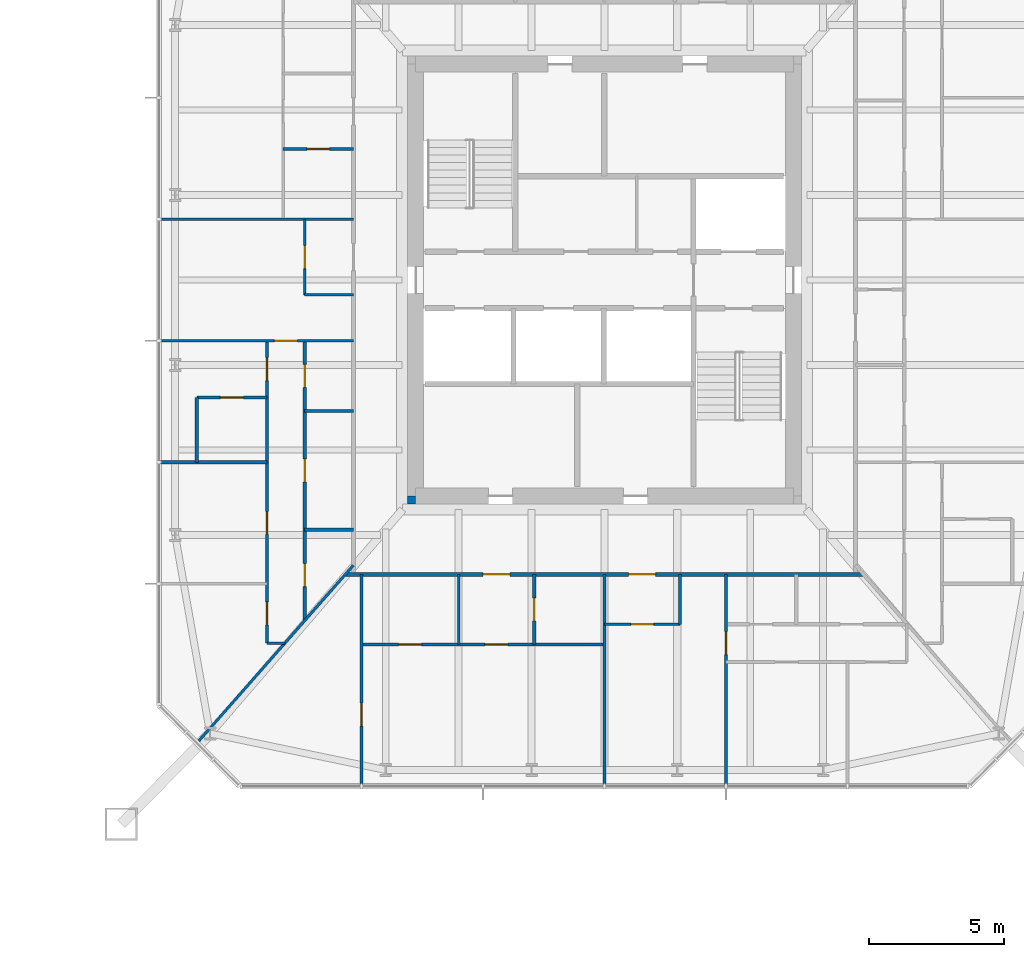
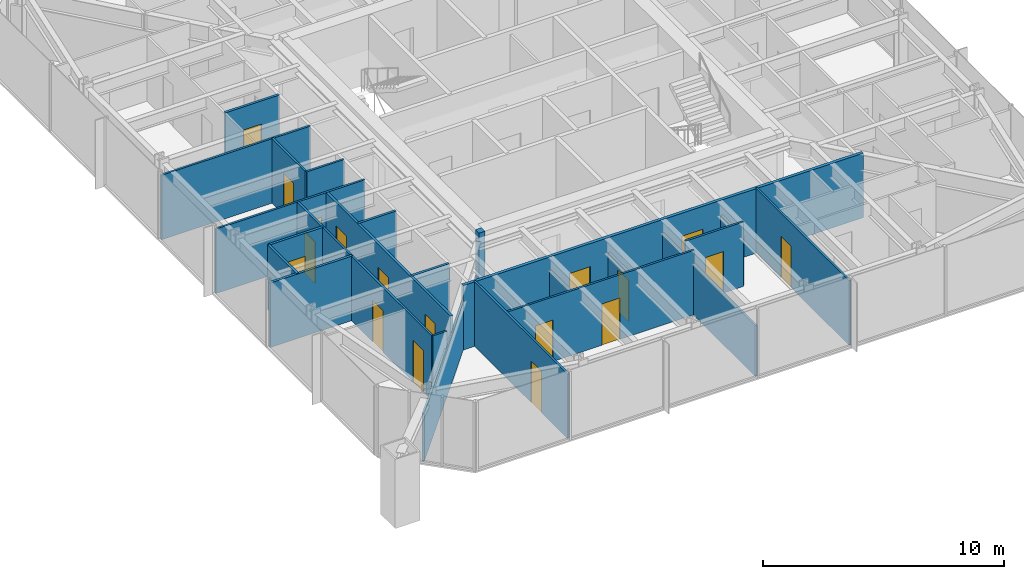
# One storey, part 18 of 26: 24 walls, 18 doors, 18 openings.
"""IFC4 building model written with IfcOpenShell, lengths in metres."""

from ifc_helpers import new_model, si_unit, direction, frame, frame_2d, origin, place, context, subcontext, project, spatial, rectangle, extrude, material, layer, layer_set, type_object, element, fill, save


model = new_model("IFC4")

# Units and contexts
model_context = context("Model", 3, precision=1e-05, world=origin(), true_north=direction((0.0, 1.0)))
body_context = subcontext(model_context, "Body", "Model", "MODEL_VIEW")
ifc_project = project(units=[si_unit("LENGTHUNIT", "METRE"), si_unit("AREAUNIT", "SQUARE_METRE"), si_unit("VOLUMEUNIT", "CUBIC_METRE"), si_unit("PLANEANGLEUNIT", "RADIAN"), si_unit("MASSUNIT", "GRAM", prefix="KILO")], contexts=[model_context])

# Site, building, storey
site_placement = place(None, origin())
site = spatial("IfcSite", under=ifc_project, at=site_placement, CompositionType="ELEMENT")
building_placement = place(site_placement, origin())
building = spatial("IfcBuilding", under=site, at=building_placement, Name="Iwan Alto Co-Living Towers", CompositionType="ELEMENT")
storey_placement = place(building_placement, frame((0.0, 0.0, 60.5)))
storey = spatial("IfcBuildingStorey", under=building, at=storey_placement, Name="L16", CompositionType="ELEMENT", Elevation=60.5)

# Wall, openings, doors
ifc_material_1 = material(Name="Gypsum board")
ifc_layer_1 = layer(ifc_material_1, 0.02490234375, Name="Board", Category="Finish")
ifc_material_2 = material(Name="Steel ASTM A1003 ST33H cold-formed studs", Category="steel")
ifc_layer_2 = layer(ifc_material_2, 0.10009765625, Name="Studs", Category="Framing")
ifc_layer_3 = layer(ifc_material_1, 0.02490234375, Name="Board", Category="Finish")
ifc_layer_set_1 = layer_set([ifc_layer_1, ifc_layer_2, ifc_layer_3], Name="CORRIDOR WALL 150")
wall_type_1 = type_object("IfcWallType", Name="CORRIDOR WALL 150", PredefinedType="PARTITIONING", material=ifc_layer_set_1)
wall_1_placement = place(storey_placement, frame((53.407958984375, -10.89990234375, 0.0), z_axis=(0.0, 0.0, 1.0), x_axis=(1.0, 0.0, 0.0)))
wall_1 = element("IfcWall", 1, at=wall_1_placement, inside=storey, type_object=wall_type_1, Name="Partition L16", PredefinedType="PARTITIONING", context=body_context, shape_type="SweptSolid", body=[
    extrude(rectangle(XDim=19.18408203125, YDim=0.14990234375, at=frame_2d((9.592041015625, 0.0))), origin(), (0.0, 0.0, 1.0), 3.27001953125),
])
opening_1_placement = place(wall_1_placement, frame((5.092041015625, 0.0, 0.0)))
opening_1 = element("IfcOpeningElement", 2, at=opening_1_placement, cuts=wall_1, Name="Opening D3", PredefinedType="OPENING", context=body_context, shape_type="SweptSolid", body=[
    extrude(rectangle(XDim=1.0, YDim=2.10009765625, at=frame_2d((0.5, 1.050048828125))), frame((0.0, 0.0849609375, 0.0), z_axis=(0.0, -1.0, 0.0), x_axis=(1.0, 0.0, 0.0)), (0.0, 0.0, 1.0), 0.169921875),
])
opening_2_placement = place(wall_1_placement, frame((10.491943359375, 0.0, 0.0)))
opening_2 = element("IfcOpeningElement", 3, at=opening_2_placement, cuts=wall_1, Name="Opening D3", PredefinedType="OPENING", context=body_context, shape_type="SweptSolid", body=[
    extrude(rectangle(XDim=1.0, YDim=2.10009765625, at=frame_2d((0.5, 1.050048828125))), frame((0.0, 0.0849609375, 0.0), z_axis=(0.0, -1.0, 0.0), x_axis=(1.0, 0.0, 0.0)), (0.0, 0.0, 1.0), 0.169921875),
])
ifc_material_3 = material(Name="Steel frame with timber leaf", Category="steel")
door_type_1 = type_object("IfcDoorType", Name="FLAT ENTRANCE DOOR FD30S 1000X2100", OperationType="SINGLE_SWING_LEFT", PredefinedType="DOOR", material=ifc_material_3)
door_1_placement = place(opening_1_placement, frame((1.0, 0.0, 0.0), z_axis=(0.0, 0.0, 1.0), x_axis=(-1.0, 0.0, 0.0)))
door_1 = element("IfcDoor", 4, at=door_1_placement, inside=storey, type_object=door_type_1, Name="Apartment foyer door L16", OperationType="SINGLE_SWING_RIGHT", OverallHeight=2.10009765625, OverallWidth=1.0, PredefinedType="DOOR", context=body_context, shape_type="SweptSolid", body=[
    extrude(rectangle(XDim=1.0, YDim=2.10009765625, at=frame_2d((0.5, 1.050048828125))), frame((0.0, 0.02490234375, 0.0), z_axis=(0.0, -1.0, 0.0), x_axis=(1.0, 0.0, 0.0)), (0.0, 0.0, 1.0), 0.050048828125),
])
fill(opening_1, door_1)
door_2_placement = place(opening_2_placement, frame((1.0, 0.0, 0.0), z_axis=(0.0, 0.0, 1.0), x_axis=(-1.0, 0.0, 0.0)))
door_2 = element("IfcDoor", 5, at=door_2_placement, inside=storey, type_object=door_type_1, Name="Apartment foyer door L16", OperationType="SINGLE_SWING_RIGHT", OverallHeight=2.10009765625, OverallWidth=1.0, PredefinedType="DOOR", context=body_context, shape_type="SweptSolid", body=[
    extrude(rectangle(XDim=1.0, YDim=2.10009765625, at=frame_2d((0.5, 1.050048828125))), frame((0.0, 0.02490234375, 0.0), z_axis=(0.0, -1.0, 0.0), x_axis=(1.0, 0.0, 0.0)), (0.0, 0.0, 1.0), 0.050048828125),
])
fill(opening_2, door_2)

ifc_layer_4 = layer(ifc_material_1, 0.012451171875, Name="Board", Category="Finish")
ifc_layer_5 = layer(ifc_material_2, 0.074951171875, Name="Studs", Category="Framing")
ifc_layer_6 = layer(ifc_material_1, 0.012451171875, Name="Board", Category="Finish")
ifc_layer_set_2 = layer_set([ifc_layer_4, ifc_layer_5, ifc_layer_6], Name="PARTITION 100")
wall_type_2 = type_object("IfcWallType", Name="PARTITION 100", PredefinedType="PARTITIONING", material=ifc_layer_set_2)
wall_2_placement = place(storey_placement, frame((54.0, -13.5, 0.0), z_axis=(0.0, 0.0, 1.0), x_axis=(1.0, 0.0, 0.0)))
wall_2 = element("IfcWall", 6, at=wall_2_placement, inside=storey, type_object=wall_type_2, Name="Partition L16", PredefinedType="PARTITIONING", context=body_context, shape_type="SweptSolid", body=[
    extrude(rectangle(XDim=9.0, YDim=0.10009765625, at=frame_2d((4.5, 0.0))), origin(), (0.0, 0.0, 1.0), 3.27001953125),
])
opening_3_placement = place(wall_2_placement, frame((1.375, 0.0, 0.0)))
opening_3 = element("IfcOpeningElement", 7, at=opening_3_placement, cuts=wall_2, Name="Opening D2", PredefinedType="OPENING", context=body_context, shape_type="SweptSolid", body=[
    extrude(rectangle(XDim=0.85009765625, YDim=2.10009765625, at=frame_2d((0.425048828125, 1.050048828125))), frame((0.0, 0.06005859375, 0.0), z_axis=(0.0, -1.0, 0.0), x_axis=(1.0, 0.0, 0.0)), (0.0, 0.0, 1.0), 0.1201171875),
])
opening_4_placement = place(wall_2_placement, frame((4.574951171875, 0.0, 0.0)))
opening_4 = element("IfcOpeningElement", 8, at=opening_4_placement, cuts=wall_2, Name="Opening D2", PredefinedType="OPENING", context=body_context, shape_type="SweptSolid", body=[
    extrude(rectangle(XDim=0.85009765625, YDim=2.10009765625, at=frame_2d((0.425048828125, 1.050048828125))), frame((0.0, 0.06005859375, 0.0), z_axis=(0.0, -1.0, 0.0), x_axis=(1.0, 0.0, 0.0)), (0.0, 0.0, 1.0), 0.1201171875),
])
ifc_material_4 = material(Name="Timber leaf in steel frame", Category="steel")
door_type_2 = type_object("IfcDoorType", Name="ROOM DOOR 850X2100", OperationType="SINGLE_SWING_LEFT", PredefinedType="DOOR", material=ifc_material_4)
door_3_placement = place(opening_3_placement, frame((0.85009765625, 0.0, 0.0), z_axis=(0.0, 0.0, 1.0), x_axis=(-1.0, 0.0, 0.0)))
door_3 = element("IfcDoor", 9, at=door_3_placement, inside=storey, type_object=door_type_2, Name="Kitchen door L16", OperationType="SINGLE_SWING_RIGHT", OverallHeight=2.10009765625, OverallWidth=0.85009765625, PredefinedType="DOOR", context=body_context, shape_type="SweptSolid", body=[
    extrude(rectangle(XDim=0.85009765625, YDim=2.10009765625, at=frame_2d((0.425048828125, 1.050048828125))), frame((0.0, 0.02490234375, 0.0), z_axis=(0.0, -1.0, 0.0), x_axis=(1.0, 0.0, 0.0)), (0.0, 0.0, 1.0), 0.050048828125),
])
fill(opening_3, door_3)
door_4_placement = place(opening_4_placement, frame((0.85009765625, 0.0, 0.0), z_axis=(0.0, 0.0, 1.0), x_axis=(-1.0, 0.0, 0.0)))
door_4 = element("IfcDoor", 10, at=door_4_placement, inside=storey, type_object=door_type_2, Name="Apartment foyer door L16", OperationType="SINGLE_SWING_LEFT", OverallHeight=2.10009765625, OverallWidth=0.85009765625, PredefinedType="DOOR", context=body_context, shape_type="SweptSolid", body=[
    extrude(rectangle(XDim=0.85009765625, YDim=2.10009765625, at=frame_2d((0.425048828125, 1.050048828125))), frame((0.0, 0.02490234375, 0.0), z_axis=(0.0, -1.0, 0.0), x_axis=(1.0, 0.0, 0.0)), (0.0, 0.0, 1.0), 0.050048828125),
])
fill(opening_4, door_4)

# Wall
wall_3_placement = place(storey_placement, frame((50.5, -13.449951171875, 0.0), z_axis=(0.0, 0.0, 1.0), x_axis=(1.0, 0.0, 0.0)))
element("IfcWall", 11, at=wall_3_placement, inside=storey, type_object=wall_type_2, Name="Partition L16", PredefinedType="PARTITIONING", context=body_context, shape_type="SweptSolid", body=[
    extrude(rectangle(XDim=0.6640625, YDim=0.10009765625, at=frame_2d((0.33203125, 0.0))), origin(), (0.0, 0.0, 1.0), 3.27001953125),
])

# Wall, opening, door
wall_4_placement = place(storey_placement, frame((63.0, -12.75, 0.0), z_axis=(0.0, 0.0, 1.0), x_axis=(1.0, 0.0, 0.0)))
wall_4 = element("IfcWall", 12, at=wall_4_placement, inside=storey, type_object=wall_type_2, Name="Partition L16", PredefinedType="PARTITIONING", context=body_context, shape_type="SweptSolid", body=[
    extrude(rectangle(XDim=2.800048828125, YDim=0.10009765625, at=frame_2d((1.39990234375, 0.0))), origin(), (0.0, 0.0, 1.0), 3.27001953125),
])
opening_5_placement = place(wall_4_placement, frame((0.97509765625, 0.0, 0.0)))
opening_5 = element("IfcOpeningElement", 13, at=opening_5_placement, cuts=wall_4, Name="Opening D2", PredefinedType="OPENING", context=body_context, shape_type="SweptSolid", body=[
    extrude(rectangle(XDim=0.85009765625, YDim=2.10009765625, at=frame_2d((0.425048828125, 1.050048828125))), frame((0.0, 0.06005859375, 0.0), z_axis=(0.0, -1.0, 0.0), x_axis=(1.0, 0.0, 0.0)), (0.0, 0.0, 1.0), 0.1201171875),
])
door_5_placement = place(opening_5_placement, frame((0.85009765625, 0.0, 0.0), z_axis=(0.0, 0.0, 1.0), x_axis=(-1.0, 0.0, 0.0)))
door_5 = element("IfcDoor", 14, at=door_5_placement, inside=storey, type_object=door_type_2, Name="Apartment foyer door L16", OperationType="SINGLE_SWING_RIGHT", OverallHeight=2.10009765625, OverallWidth=0.85009765625, PredefinedType="DOOR", context=body_context, shape_type="SweptSolid", body=[
    extrude(rectangle(XDim=0.85009765625, YDim=2.10009765625, at=frame_2d((0.425048828125, 1.050048828125))), frame((0.0, 0.02490234375, 0.0), z_axis=(0.0, -1.0, 0.0), x_axis=(1.0, 0.0, 0.0)), (0.0, 0.0, 1.0), 0.050048828125),
])
fill(opening_5, door_5)

wall_5_placement = place(storey_placement, frame((46.56005859375, -2.25, 0.0), z_axis=(0.0, 0.0, 1.0), x_axis=(1.0, 0.0, 0.0)))
wall_5 = element("IfcWall", 15, at=wall_5_placement, inside=storey, type_object=wall_type_2, Name="Partition L16", PredefinedType="PARTITIONING", context=body_context, shape_type="SweptSolid", body=[
    extrude(rectangle(XDim=7.139892578125, YDim=0.10009765625, at=frame_2d((3.56982421875, 0.0))), origin(), (0.0, 0.0, 1.0), 3.27001953125),
])
opening_6_placement = place(wall_5_placement, frame((4.215087890625, 0.0, 0.0)))
opening_6 = element("IfcOpeningElement", 16, at=opening_6_placement, cuts=wall_5, Name="Opening D2", PredefinedType="OPENING", context=body_context, shape_type="SweptSolid", body=[
    extrude(rectangle(XDim=0.85009765625, YDim=2.10009765625, at=frame_2d((0.425048828125, 1.050048828125))), frame((0.0, 0.06005859375, 0.0), z_axis=(0.0, -1.0, 0.0), x_axis=(1.0, 0.0, 0.0)), (0.0, 0.0, 1.0), 0.1201171875),
])
door_6_placement = place(opening_6_placement, origin())
door_6 = element("IfcDoor", 17, at=door_6_placement, inside=storey, type_object=door_type_2, Name="Apartment hall door L16", OperationType="SINGLE_SWING_RIGHT", OverallHeight=2.10009765625, OverallWidth=0.85009765625, PredefinedType="DOOR", context=body_context, shape_type="SweptSolid", body=[
    extrude(rectangle(XDim=0.85009765625, YDim=2.10009765625, at=frame_2d((0.425048828125, 1.050048828125))), frame((0.0, 0.02490234375, 0.0), z_axis=(0.0, -1.0, 0.0), x_axis=(1.0, 0.0, 0.0)), (0.0, 0.0, 1.0), 0.050048828125),
])
fill(opening_6, door_6)

# Walls
wall_6_placement = place(storey_placement, frame((51.89990234375, -0.550048828125, 0.0), z_axis=(0.0, 0.0, 1.0), x_axis=(1.0, 0.0, 0.0)))
element("IfcWall", 18, at=wall_6_placement, inside=storey, type_object=wall_type_2, Name="Partition L16", PredefinedType="PARTITIONING", context=body_context, shape_type="SweptSolid", body=[
    extrude(rectangle(XDim=1.800048828125, YDim=0.10009765625, at=frame_2d((0.89990234375, 0.0))), origin(), (0.0, 0.0, 1.0), 3.27001953125),
])
wall_7_placement = place(storey_placement, frame((46.56005859375, 2.25, 0.0), z_axis=(0.0, 0.0, 1.0), x_axis=(1.0, 0.0, 0.0)))
element("IfcWall", 19, at=wall_7_placement, inside=storey, type_object=wall_type_2, Name="Partition L16", PredefinedType="PARTITIONING", context=body_context, shape_type="SweptSolid", body=[
    extrude(rectangle(XDim=7.139892578125, YDim=0.10009765625, at=frame_2d((3.56982421875, 0.0))), origin(), (0.0, 0.0, 1.0), 3.27001953125),
])
wall_8_placement = place(storey_placement, frame((47.944091796875, -17.10888671875, 0.0), z_axis=(0.0, 0.0, 1.0), x_axis=(0.660612734851, 0.750726857487, 0.0)))
element("IfcWall", 20, at=wall_8_placement, inside=storey, type_object=wall_type_2, Name="Partition L16", PredefinedType="PARTITIONING", context=body_context, shape_type="SweptSolid", body=[
    extrude(rectangle(XDim=8.712890625, YDim=0.10009765625, at=frame_2d((4.3564453125, 0.0))), origin(), (0.0, 0.0, 1.0), 2.42919921875),
])

# Wall, opening, door
wall_9_placement = place(storey_placement, frame((67.5, -18.68994140625, 0.0), z_axis=(0.0, 0.0, 1.0), x_axis=(0.0, 1.0, 0.0)))
wall_9 = element("IfcWall", 21, at=wall_9_placement, inside=storey, type_object=wall_type_2, Name="Partition L16", PredefinedType="PARTITIONING", context=body_context, shape_type="SweptSolid", body=[
    extrude(rectangle(XDim=7.7900390625, YDim=0.10009765625, at=frame_2d((3.89501953125, 0.0))), origin(), (0.0, 0.0, 1.0), 3.27001953125),
])
opening_7_placement = place(wall_9_placement, frame((4.81494140625, 0.0, 0.0)))
opening_7 = element("IfcOpeningElement", 22, at=opening_7_placement, cuts=wall_9, Name="Opening D2", PredefinedType="OPENING", context=body_context, shape_type="SweptSolid", body=[
    extrude(rectangle(XDim=0.85009765625, YDim=2.10009765625, at=frame_2d((0.425048828125, 1.050048828125))), frame((0.0, 0.06005859375, 0.0), z_axis=(0.0, -1.0, 0.0), x_axis=(1.0, 0.0, 0.0)), (0.0, 0.0, 1.0), 0.1201171875),
])
door_7_placement = place(opening_7_placement, origin())
door_7 = element("IfcDoor", 23, at=door_7_placement, inside=storey, type_object=door_type_2, Name="Apartment hall door L16", OperationType="SINGLE_SWING_RIGHT", OverallHeight=2.10009765625, OverallWidth=0.85009765625, PredefinedType="DOOR", context=body_context, shape_type="SweptSolid", body=[
    extrude(rectangle(XDim=0.85009765625, YDim=2.10009765625, at=frame_2d((0.425048828125, 1.050048828125))), frame((0.0, 0.02490234375, 0.0), z_axis=(0.0, -1.0, 0.0), x_axis=(1.0, 0.0, 0.0)), (0.0, 0.0, 1.0), 0.050048828125),
])
fill(opening_7, door_7)

# Walls
wall_10_placement = place(storey_placement, frame((65.800048828125, -12.75, 0.0), z_axis=(0.0, 0.0, 1.0), x_axis=(0.0, 1.0, 0.0)))
element("IfcWall", 24, at=wall_10_placement, inside=storey, type_object=wall_type_2, Name="Partition L16", PredefinedType="PARTITIONING", context=body_context, shape_type="SweptSolid", body=[
    extrude(rectangle(XDim=1.85009765625, YDim=0.10009765625, at=frame_2d((0.925048828125, 0.0))), origin(), (0.0, 0.0, 1.0), 2.508056640625),
])
wall_11_placement = place(storey_placement, frame((63.0, -18.68994140625, 0.0), z_axis=(0.0, 0.0, 1.0), x_axis=(0.0, 1.0, 0.0)))
element("IfcWall", 25, at=wall_11_placement, inside=storey, type_object=wall_type_2, Name="Partition L16", PredefinedType="PARTITIONING", context=body_context, shape_type="SweptSolid", body=[
    extrude(rectangle(XDim=7.7900390625, YDim=0.10009765625, at=frame_2d((3.89501953125, 0.0))), origin(), (0.0, 0.0, 1.0), 2.586669921875),
])
wall_12_placement = place(storey_placement, frame((57.60009765625, -13.5, 0.0), z_axis=(0.0, 0.0, 1.0), x_axis=(0.0, 1.0, 0.0)))
element("IfcWall", 26, at=wall_12_placement, inside=storey, type_object=wall_type_2, Name="Partition L16", PredefinedType="PARTITIONING", context=body_context, shape_type="SweptSolid", body=[
    extrude(rectangle(XDim=2.60009765625, YDim=0.10009765625, at=frame_2d((1.300048828125, 0.0))), origin(), (0.0, 0.0, 1.0), 2.586669921875),
])

# Wall, opening, door
wall_13_placement = place(storey_placement, frame((54.0, -18.68994140625, 0.0), z_axis=(0.0, 0.0, 1.0), x_axis=(0.0, 1.0, 0.0)))
wall_13 = element("IfcWall", 27, at=wall_13_placement, inside=storey, type_object=wall_type_2, Name="Partition L16", PredefinedType="PARTITIONING", context=body_context, shape_type="SweptSolid", body=[
    extrude(rectangle(XDim=7.7900390625, YDim=0.10009765625, at=frame_2d((3.89501953125, 0.0))), origin(), (0.0, 0.0, 1.0), 3.27001953125),
])
opening_8_placement = place(wall_13_placement, frame((2.169921875, 0.0, 0.0)))
opening_8 = element("IfcOpeningElement", 28, at=opening_8_placement, cuts=wall_13, Name="Opening D2", PredefinedType="OPENING", context=body_context, shape_type="SweptSolid", body=[
    extrude(rectangle(XDim=0.85009765625, YDim=2.10009765625, at=frame_2d((0.425048828125, 1.050048828125))), frame((0.0, 0.06005859375, 0.0), z_axis=(0.0, -1.0, 0.0), x_axis=(1.0, 0.0, 0.0)), (0.0, 0.0, 1.0), 0.1201171875),
])
door_8_placement = place(opening_8_placement, frame((0.85009765625, 0.0, 0.0), z_axis=(0.0, 0.0, 1.0), x_axis=(-1.0, 0.0, 0.0)))
door_8 = element("IfcDoor", 29, at=door_8_placement, inside=storey, type_object=door_type_2, Name="Bedroom door L16", OperationType="SINGLE_SWING_LEFT", OverallHeight=2.10009765625, OverallWidth=0.85009765625, PredefinedType="DOOR", context=body_context, shape_type="SweptSolid", body=[
    extrude(rectangle(XDim=0.85009765625, YDim=2.10009765625, at=frame_2d((0.425048828125, 1.050048828125))), frame((0.0, 0.02490234375, 0.0), z_axis=(0.0, -1.0, 0.0), x_axis=(1.0, 0.0, 0.0)), (0.0, 0.0, 1.0), 0.050048828125),
])
fill(opening_8, door_8)

wall_14_placement = place(storey_placement, frame((51.89990234375, -0.550048828125, 0.0), z_axis=(0.0, 0.0, 1.0), x_axis=(0.0, 1.0, 0.0)))
wall_14 = element("IfcWall", 30, at=wall_14_placement, inside=storey, type_object=wall_type_2, Name="Partition L16", PredefinedType="PARTITIONING", context=body_context, shape_type="SweptSolid", body=[
    extrude(rectangle(XDim=2.800048828125, YDim=0.10009765625, at=frame_2d((1.39990234375, 0.0))), origin(), (0.0, 0.0, 1.0), 3.27001953125),
])
opening_9_placement = place(wall_14_placement, frame((0.97509765625, 0.0, 0.0)))
opening_9 = element("IfcOpeningElement", 31, at=opening_9_placement, cuts=wall_14, Name="Opening D2", PredefinedType="OPENING", context=body_context, shape_type="SweptSolid", body=[
    extrude(rectangle(XDim=0.85009765625, YDim=2.10009765625, at=frame_2d((0.425048828125, 1.050048828125))), frame((0.0, 0.06005859375, 0.0), z_axis=(0.0, -1.0, 0.0), x_axis=(1.0, 0.0, 0.0)), (0.0, 0.0, 1.0), 0.1201171875),
])
door_9_placement = place(opening_9_placement, origin())
door_9 = element("IfcDoor", 32, at=door_9_placement, inside=storey, type_object=door_type_2, Name="Apartment foyer door L16", OperationType="SINGLE_SWING_RIGHT", OverallHeight=2.10009765625, OverallWidth=0.85009765625, PredefinedType="DOOR", context=body_context, shape_type="SweptSolid", body=[
    extrude(rectangle(XDim=0.85009765625, YDim=2.10009765625, at=frame_2d((0.425048828125, 1.050048828125))), frame((0.0, 0.02490234375, 0.0), z_axis=(0.0, -1.0, 0.0), x_axis=(1.0, 0.0, 0.0)), (0.0, 0.0, 1.0), 0.050048828125),
])
fill(opening_9, door_9)

# Wall, openings, doors
wall_15_placement = place(storey_placement, frame((50.5, -13.449951171875, 0.0), z_axis=(0.0, 0.0, 1.0), x_axis=(0.0, 1.0, 0.0)))
wall_15 = element("IfcWall", 33, at=wall_15_placement, inside=storey, type_object=wall_type_2, Name="Partition L16", PredefinedType="PARTITIONING", context=body_context, shape_type="SweptSolid", body=[
    extrude(rectangle(XDim=11.199951171875, YDim=0.10009765625, at=frame_2d((5.60009765625, 0.0))), origin(), (0.0, 0.0, 1.0), 3.27001953125),
])
opening_10_placement = place(wall_15_placement, frame((9.72509765625, 0.0, 0.0)))
opening_10 = element("IfcOpeningElement", 34, at=opening_10_placement, cuts=wall_15, Name="Opening D2", PredefinedType="OPENING", context=body_context, shape_type="SweptSolid", body=[
    extrude(rectangle(XDim=0.85009765625, YDim=2.10009765625, at=frame_2d((0.425048828125, 1.050048828125))), frame((0.0, 0.06005859375, 0.0), z_axis=(0.0, -1.0, 0.0), x_axis=(1.0, 0.0, 0.0)), (0.0, 0.0, 1.0), 0.1201171875),
])
opening_11_placement = place(wall_15_placement, frame((4.02490234375, 0.0, 0.0)))
opening_11 = element("IfcOpeningElement", 35, at=opening_11_placement, cuts=wall_15, Name="Opening D2", PredefinedType="OPENING", context=body_context, shape_type="SweptSolid", body=[
    extrude(rectangle(XDim=0.85009765625, YDim=2.10009765625, at=frame_2d((0.425048828125, 1.050048828125))), frame((0.0, 0.06005859375, 0.0), z_axis=(0.0, -1.0, 0.0), x_axis=(1.0, 0.0, 0.0)), (0.0, 0.0, 1.0), 0.1201171875),
])
opening_12_placement = place(wall_15_placement, frame((0.675048828125, 0.0, 0.0)))
opening_12 = element("IfcOpeningElement", 36, at=opening_12_placement, cuts=wall_15, Name="Opening D2", PredefinedType="OPENING", context=body_context, shape_type="SweptSolid", body=[
    extrude(rectangle(XDim=0.85009765625, YDim=2.10009765625, at=frame_2d((0.425048828125, 1.050048828125))), frame((0.0, 0.06005859375, 0.0), z_axis=(0.0, -1.0, 0.0), x_axis=(1.0, 0.0, 0.0)), (0.0, 0.0, 1.0), 0.1201171875),
])
door_10_placement = place(opening_10_placement, origin())
door_10 = element("IfcDoor", 37, at=door_10_placement, inside=storey, type_object=door_type_2, Name="Bedroom door L16", OperationType="SINGLE_SWING_LEFT", OverallHeight=2.10009765625, OverallWidth=0.85009765625, PredefinedType="DOOR", context=body_context, shape_type="SweptSolid", body=[
    extrude(rectangle(XDim=0.85009765625, YDim=2.10009765625, at=frame_2d((0.425048828125, 1.050048828125))), frame((0.0, 0.02490234375, 0.0), z_axis=(0.0, -1.0, 0.0), x_axis=(1.0, 0.0, 0.0)), (0.0, 0.0, 1.0), 0.050048828125),
])
fill(opening_10, door_10)
door_11_placement = place(opening_11_placement, origin())
door_11 = element("IfcDoor", 38, at=door_11_placement, inside=storey, type_object=door_type_2, Name="Bedroom door L16", OperationType="SINGLE_SWING_LEFT", OverallHeight=2.10009765625, OverallWidth=0.85009765625, PredefinedType="DOOR", context=body_context, shape_type="SweptSolid", body=[
    extrude(rectangle(XDim=0.85009765625, YDim=2.10009765625, at=frame_2d((0.425048828125, 1.050048828125))), frame((0.0, 0.02490234375, 0.0), z_axis=(0.0, -1.0, 0.0), x_axis=(1.0, 0.0, 0.0)), (0.0, 0.0, 1.0), 0.050048828125),
])
fill(opening_11, door_11)
door_12_placement = place(opening_12_placement, origin())
door_12 = element("IfcDoor", 39, at=door_12_placement, inside=storey, type_object=door_type_2, Name="Bedroom door L16", OperationType="SINGLE_SWING_RIGHT", OverallHeight=2.10009765625, OverallWidth=0.85009765625, PredefinedType="DOOR", context=body_context, shape_type="SweptSolid", body=[
    extrude(rectangle(XDim=0.85009765625, YDim=2.10009765625, at=frame_2d((0.425048828125, 1.050048828125))), frame((0.0, 0.02490234375, 0.0), z_axis=(0.0, -1.0, 0.0), x_axis=(1.0, 0.0, 0.0)), (0.0, 0.0, 1.0), 0.050048828125),
])
fill(opening_12, door_12)

# Walls
ifc_material_5 = material(Name="Concrete f'c 70 MPa", Category="concrete")
ifc_layer_7 = layer(ifc_material_5, 0.300048828125)
ifc_layer_set_3 = layer_set([ifc_layer_7], Name="T2 CORE CORNER FILL 300")
wall_type_3 = type_object("IfcWallType", Name="T2 CORE CORNER FILL 300", PredefinedType="SOLIDWALL", material=ifc_layer_set_3)
wall_16_placement = place(storey_placement, frame((55.699951171875, -8.14990234375, 0.0), z_axis=(0.0, 0.0, 1.0), x_axis=(1.0, 0.0, 0.0)))
element("IfcWall", 40, at=wall_16_placement, inside=storey, type_object=wall_type_3, Name="T2 core corner SW L16", PredefinedType="SOLIDWALL", context=body_context, shape_type="SweptSolid", body=[
    extrude(rectangle(XDim=0.300048828125, YDim=0.300048828125, at=frame_2d((0.14990234375, 0.0))), origin(), (0.0, 0.0, 1.0), 3.5),
])
ifc_material_6 = material(Name="Cement board")
ifc_layer_8 = layer(ifc_material_6, 0.012451171875, Name="Board", Category="Finish")
ifc_layer_9 = layer(ifc_material_2, 0.094970703125, Name="Studs", Category="Framing")
ifc_layer_10 = layer(ifc_material_6, 0.012451171875, Name="Board", Category="Finish")
ifc_layer_set_4 = layer_set([ifc_layer_8, ifc_layer_9, ifc_layer_10], Name="WET AREA PARTITION 120")
wall_type_4 = type_object("IfcWallType", Name="WET AREA PARTITION 120", PredefinedType="PARTITIONING", material=ifc_layer_set_4)
wall_17_placement = place(storey_placement, frame((51.89990234375, -9.25, 0.0), z_axis=(0.0, 0.0, 1.0), x_axis=(1.0, 0.0, 0.0)))
element("IfcWall", 41, at=wall_17_placement, inside=storey, type_object=wall_type_4, Name="Partition L16", PredefinedType="PARTITIONING", context=body_context, shape_type="SweptSolid", body=[
    extrude(rectangle(XDim=1.800048828125, YDim=0.1201171875, at=frame_2d((0.89990234375, 0.0))), origin(), (0.0, 0.0, 1.0), 3.27001953125),
])
wall_18_placement = place(storey_placement, frame((46.56005859375, -6.75, 0.0), z_axis=(0.0, 0.0, 1.0), x_axis=(1.0, 0.0, 0.0)))
element("IfcWall", 42, at=wall_18_placement, inside=storey, type_object=wall_type_4, Name="Partition L16", PredefinedType="PARTITIONING", context=body_context, shape_type="SweptSolid", body=[
    extrude(rectangle(XDim=3.93994140625, YDim=0.1201171875, at=frame_2d((1.969970703125, 0.0))), origin(), (0.0, 0.0, 1.0), 3.27001953125),
])
wall_19_placement = place(storey_placement, frame((51.89990234375, -4.85009765625, 0.0), z_axis=(0.0, 0.0, 1.0), x_axis=(1.0, 0.0, 0.0)))
element("IfcWall", 43, at=wall_19_placement, inside=storey, type_object=wall_type_4, Name="Partition L16", PredefinedType="PARTITIONING", context=body_context, shape_type="SweptSolid", body=[
    extrude(rectangle(XDim=1.800048828125, YDim=0.1201171875, at=frame_2d((0.89990234375, 0.0))), origin(), (0.0, 0.0, 1.0), 3.27001953125),
])

# Wall, opening, door
wall_20_placement = place(storey_placement, frame((47.89990234375, -4.35009765625, 0.0), z_axis=(0.0, 0.0, 1.0), x_axis=(1.0, 0.0, 0.0)))
wall_20 = element("IfcWall", 44, at=wall_20_placement, inside=storey, type_object=wall_type_4, Name="Partition L16", PredefinedType="PARTITIONING", context=body_context, shape_type="SweptSolid", body=[
    extrude(rectangle(XDim=2.60009765625, YDim=0.1201171875, at=frame_2d((1.300048828125, 0.0))), origin(), (0.0, 0.0, 1.0), 3.27001953125),
])
opening_13_placement = place(wall_20_placement, frame((0.875, 0.0, 0.0)))
opening_13 = element("IfcOpeningElement", 45, at=opening_13_placement, cuts=wall_20, Name="Opening D2", PredefinedType="OPENING", context=body_context, shape_type="SweptSolid", body=[
    extrude(rectangle(XDim=0.85009765625, YDim=2.10009765625, at=frame_2d((0.425048828125, 1.050048828125))), frame((0.0, 0.070068359375, 0.0), z_axis=(0.0, -1.0, 0.0), x_axis=(1.0, 0.0, 0.0)), (0.0, 0.0, 1.0), 0.14013671875),
])
door_13_placement = place(opening_13_placement, origin())
door_13 = element("IfcDoor", 46, at=door_13_placement, inside=storey, type_object=door_type_2, Name="En-suite shower room door L16", OperationType="SINGLE_SWING_RIGHT", OverallHeight=2.10009765625, OverallWidth=0.85009765625, PredefinedType="DOOR", context=body_context, shape_type="SweptSolid", body=[
    extrude(rectangle(XDim=0.85009765625, YDim=2.10009765625, at=frame_2d((0.425048828125, 1.050048828125))), frame((0.0, 0.02490234375, 0.0), z_axis=(0.0, -1.0, 0.0), x_axis=(1.0, 0.0, 0.0)), (0.0, 0.0, 1.0), 0.050048828125),
])
fill(opening_13, door_13)

wall_21_placement = place(storey_placement, frame((51.10009765625, 4.85009765625, 0.0), z_axis=(0.0, 0.0, 1.0), x_axis=(1.0, 0.0, 0.0)))
wall_21 = element("IfcWall", 47, at=wall_21_placement, inside=storey, type_object=wall_type_4, Name="Partition L16", PredefinedType="PARTITIONING", context=body_context, shape_type="SweptSolid", body=[
    extrude(rectangle(XDim=2.599853515625, YDim=0.1201171875, at=frame_2d((1.2998046875, 0.0))), origin(), (0.0, 0.0, 1.0), 3.27001953125),
])
opening_14_placement = place(wall_21_placement, frame((0.875, 0.0, 0.0)))
opening_14 = element("IfcOpeningElement", 48, at=opening_14_placement, cuts=wall_21, Name="Opening D2", PredefinedType="OPENING", context=body_context, shape_type="SweptSolid", body=[
    extrude(rectangle(XDim=0.85009765625, YDim=2.10009765625, at=frame_2d((0.425048828125, 1.050048828125))), frame((0.0, 0.070068359375, 0.0), z_axis=(0.0, -1.0, 0.0), x_axis=(1.0, 0.0, 0.0)), (0.0, 0.0, 1.0), 0.14013671875),
])
door_14_placement = place(opening_14_placement, frame((0.85009765625, 0.0, 0.0), z_axis=(0.0, 0.0, 1.0), x_axis=(-1.0, 0.0, 0.0)))
door_14 = element("IfcDoor", 49, at=door_14_placement, inside=storey, type_object=door_type_2, Name="Bathroom door L16", OperationType="SINGLE_SWING_RIGHT", OverallHeight=2.10009765625, OverallWidth=0.85009765625, PredefinedType="DOOR", context=body_context, shape_type="SweptSolid", body=[
    extrude(rectangle(XDim=0.85009765625, YDim=2.10009765625, at=frame_2d((0.425048828125, 1.050048828125))), frame((0.0, 0.02490234375, 0.0), z_axis=(0.0, -1.0, 0.0), x_axis=(1.0, 0.0, 0.0)), (0.0, 0.0, 1.0), 0.050048828125),
])
fill(opening_14, door_14)

wall_22_placement = place(storey_placement, frame((60.39990234375, -13.5, 0.0), z_axis=(0.0, 0.0, 1.0), x_axis=(0.0, 1.0, 0.0)))
wall_22 = element("IfcWall", 50, at=wall_22_placement, inside=storey, type_object=wall_type_4, Name="Partition L16", PredefinedType="PARTITIONING", context=body_context, shape_type="SweptSolid", body=[
    extrude(rectangle(XDim=2.60009765625, YDim=0.1201171875, at=frame_2d((1.300048828125, 0.0))), origin(), (0.0, 0.0, 1.0), 2.508056640625),
])
opening_15_placement = place(wall_22_placement, frame((0.875, 0.0, 0.0)))
opening_15 = element("IfcOpeningElement", 51, at=opening_15_placement, cuts=wall_22, Name="Opening D2", PredefinedType="OPENING", context=body_context, shape_type="SweptSolid", body=[
    extrude(rectangle(XDim=0.85009765625, YDim=2.10009765625, at=frame_2d((0.425048828125, 1.050048828125))), frame((0.0, 0.070068359375, 0.0), z_axis=(0.0, -1.0, 0.0), x_axis=(1.0, 0.0, 0.0)), (0.0, 0.0, 1.0), 0.14013671875),
])
door_15_placement = place(opening_15_placement, frame((0.85009765625, 0.0, 0.0), z_axis=(0.0, 0.0, 1.0), x_axis=(-1.0, 0.0, 0.0)))
door_15 = element("IfcDoor", 52, at=door_15_placement, inside=storey, type_object=door_type_2, Name="Bathroom door L16", OperationType="SINGLE_SWING_RIGHT", OverallHeight=2.10009765625, OverallWidth=0.85009765625, PredefinedType="DOOR", context=body_context, shape_type="SweptSolid", body=[
    extrude(rectangle(XDim=0.85009765625, YDim=2.10009765625, at=frame_2d((0.425048828125, 1.050048828125))), frame((0.0, 0.02490234375, 0.0), z_axis=(0.0, -1.0, 0.0), x_axis=(1.0, 0.0, 0.0)), (0.0, 0.0, 1.0), 0.050048828125),
])
fill(opening_15, door_15)

# Wall, openings, doors
wall_23_placement = place(storey_placement, frame((51.89990234375, -12.614013671875, 0.0), z_axis=(0.0, 0.0, 1.0), x_axis=(0.0, 1.0, 0.0)))
wall_23 = element("IfcWall", 53, at=wall_23_placement, inside=storey, type_object=wall_type_4, Name="Partition L16", PredefinedType="PARTITIONING", context=body_context, shape_type="SweptSolid", body=[
    extrude(rectangle(XDim=10.364013671875, YDim=0.1201171875, at=frame_2d((5.18212890625, 0.0))), origin(), (0.0, 0.0, 1.0), 3.27001953125),
])
opening_16_placement = place(wall_23_placement, frame((8.638916015625, 0.0, 0.0)))
opening_16 = element("IfcOpeningElement", 54, at=opening_16_placement, cuts=wall_23, Name="Opening D2", PredefinedType="OPENING", context=body_context, shape_type="SweptSolid", body=[
    extrude(rectangle(XDim=0.85009765625, YDim=2.10009765625, at=frame_2d((0.425048828125, 1.050048828125))), frame((0.0, 0.070068359375, 0.0), z_axis=(0.0, -1.0, 0.0), x_axis=(1.0, 0.0, 0.0)), (0.0, 0.0, 1.0), 0.14013671875),
])
opening_17_placement = place(wall_23_placement, frame((5.138916015625, 0.0, 0.0)))
opening_17 = element("IfcOpeningElement", 55, at=opening_17_placement, cuts=wall_23, Name="Opening D2", PredefinedType="OPENING", context=body_context, shape_type="SweptSolid", body=[
    extrude(rectangle(XDim=0.85009765625, YDim=2.10009765625, at=frame_2d((0.425048828125, 1.050048828125))), frame((0.0, 0.070068359375, 0.0), z_axis=(0.0, -1.0, 0.0), x_axis=(1.0, 0.0, 0.0)), (0.0, 0.0, 1.0), 0.14013671875),
])
opening_18_placement = place(wall_23_placement, frame((1.257080078125, 0.0, 0.0)))
opening_18 = element("IfcOpeningElement", 56, at=opening_18_placement, cuts=wall_23, Name="Opening D2", PredefinedType="OPENING", context=body_context, shape_type="SweptSolid", body=[
    extrude(rectangle(XDim=0.85009765625, YDim=2.10009765625, at=frame_2d((0.425048828125, 1.050048828125))), frame((0.0, 0.070068359375, 0.0), z_axis=(0.0, -1.0, 0.0), x_axis=(1.0, 0.0, 0.0)), (0.0, 0.0, 1.0), 0.14013671875),
])
door_16_placement = place(opening_16_placement, frame((0.85009765625, 0.0, 0.0), z_axis=(0.0, 0.0, 1.0), x_axis=(-1.0, 0.0, 0.0)))
door_16 = element("IfcDoor", 57, at=door_16_placement, inside=storey, type_object=door_type_2, Name="Bathroom door L16", OperationType="SINGLE_SWING_RIGHT", OverallHeight=2.10009765625, OverallWidth=0.85009765625, PredefinedType="DOOR", context=body_context, shape_type="SweptSolid", body=[
    extrude(rectangle(XDim=0.85009765625, YDim=2.10009765625, at=frame_2d((0.425048828125, 1.050048828125))), frame((0.0, 0.02490234375, 0.0), z_axis=(0.0, -1.0, 0.0), x_axis=(1.0, 0.0, 0.0)), (0.0, 0.0, 1.0), 0.050048828125),
])
fill(opening_16, door_16)
door_17_placement = place(opening_17_placement, frame((0.85009765625, 0.0, 0.0), z_axis=(0.0, 0.0, 1.0), x_axis=(-1.0, 0.0, 0.0)))
door_17 = element("IfcDoor", 58, at=door_17_placement, inside=storey, type_object=door_type_2, Name="Utility room door L16", OperationType="SINGLE_SWING_RIGHT", OverallHeight=2.10009765625, OverallWidth=0.85009765625, PredefinedType="DOOR", context=body_context, shape_type="SweptSolid", body=[
    extrude(rectangle(XDim=0.85009765625, YDim=2.10009765625, at=frame_2d((0.425048828125, 1.050048828125))), frame((0.0, 0.02490234375, 0.0), z_axis=(0.0, -1.0, 0.0), x_axis=(1.0, 0.0, 0.0)), (0.0, 0.0, 1.0), 0.050048828125),
])
fill(opening_17, door_17)
door_18_placement = place(opening_18_placement, frame((0.85009765625, 0.0, 0.0), z_axis=(0.0, 0.0, 1.0), x_axis=(-1.0, 0.0, 0.0)))
door_18 = element("IfcDoor", 59, at=door_18_placement, inside=storey, type_object=door_type_2, Name="Store room door L16", OperationType="SINGLE_SWING_RIGHT", OverallHeight=2.10009765625, OverallWidth=0.85009765625, PredefinedType="DOOR", context=body_context, shape_type="SweptSolid", body=[
    extrude(rectangle(XDim=0.85009765625, YDim=2.10009765625, at=frame_2d((0.425048828125, 1.050048828125))), frame((0.0, 0.02490234375, 0.0), z_axis=(0.0, -1.0, 0.0), x_axis=(1.0, 0.0, 0.0)), (0.0, 0.0, 1.0), 0.050048828125),
])
fill(opening_18, door_18)

# Wall
wall_24_placement = place(storey_placement, frame((47.89990234375, -6.75, 0.0), z_axis=(0.0, 0.0, 1.0), x_axis=(0.0, 1.0, 0.0)))
element("IfcWall", 60, at=wall_24_placement, inside=storey, type_object=wall_type_4, Name="Partition L16", PredefinedType="PARTITIONING", context=body_context, shape_type="SweptSolid", body=[
    extrude(rectangle(XDim=2.39990234375, YDim=0.1201171875, at=frame_2d((1.199951171875, 0.0))), origin(), (0.0, 0.0, 1.0), 3.27001953125),
])

save(model, "model.ifc")
